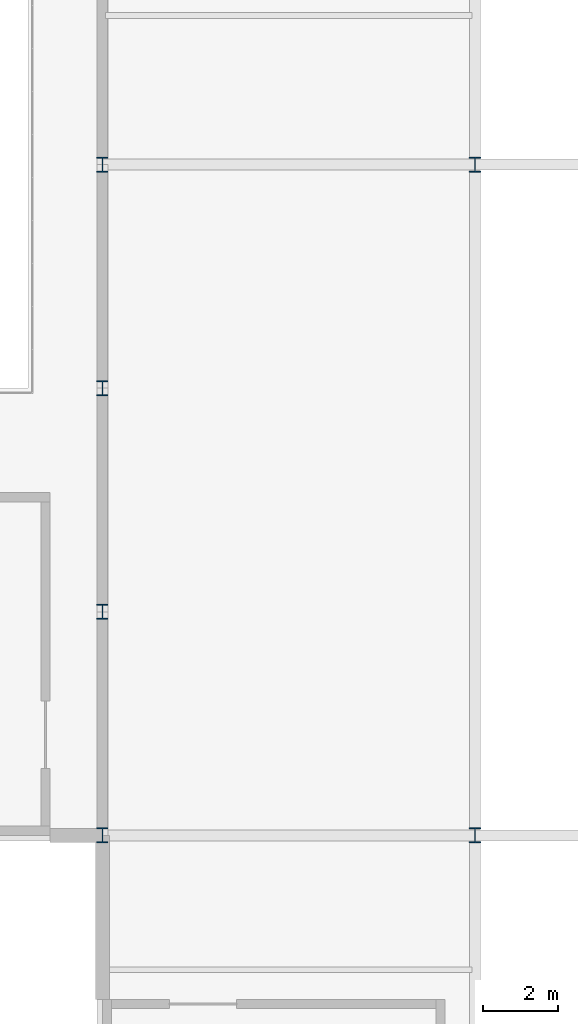
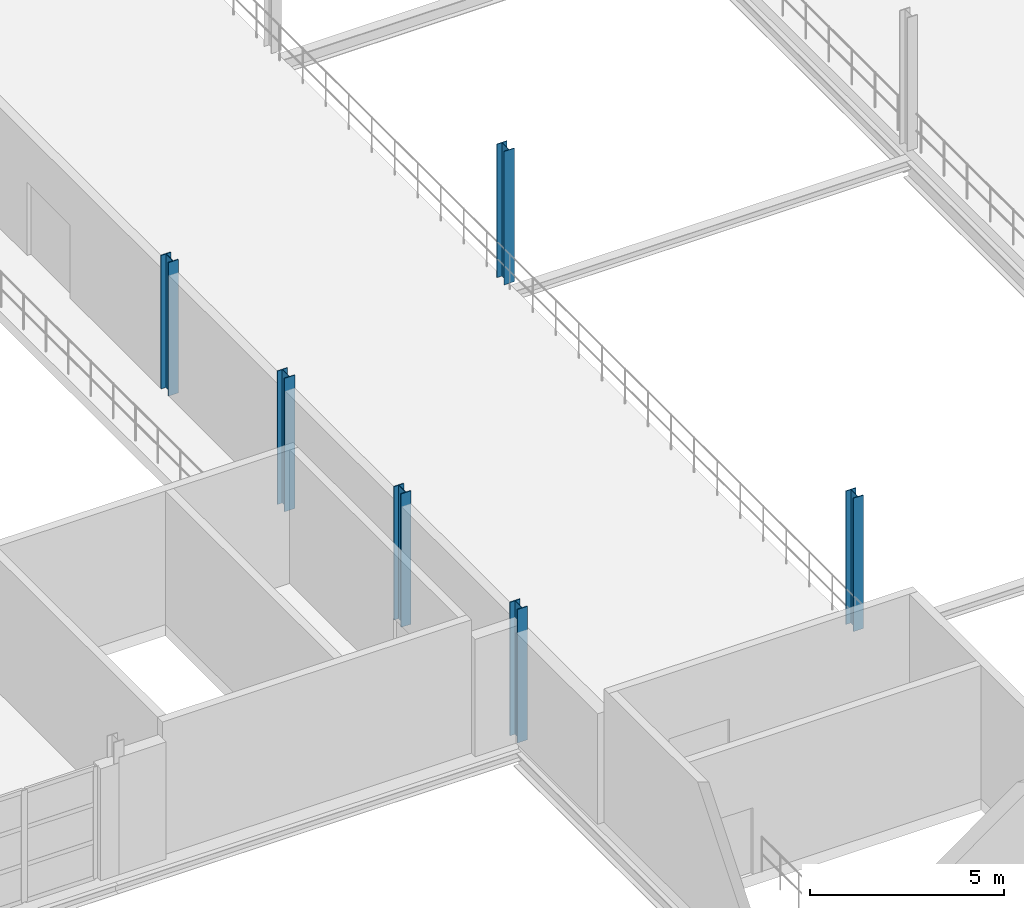
# One storey, part 3 of 147: 6 columns.
"""IFC4 building model written with IfcOpenShell, lengths in metres."""

from ifc_helpers import new_model, si_unit, direction, frame, origin, origin_2d, place, context, subcontext, project, spatial, i_section, extrude, material, material_profile, profile_set, type_object, element, save


model = new_model("IFC4")

# Units and contexts
model_context = context("Model", 3, precision=1e-05, world=origin(), true_north=direction((0.0, 1.0)))
body_context = subcontext(model_context, "Body", "Model", "MODEL_VIEW")
ifc_project = project(units=[si_unit("LENGTHUNIT", "METRE"), si_unit("AREAUNIT", "SQUARE_METRE"), si_unit("VOLUMEUNIT", "CUBIC_METRE"), si_unit("PLANEANGLEUNIT", "RADIAN"), si_unit("MASSUNIT", "GRAM", prefix="KILO")], contexts=[model_context])

# Site, building, storey
site_placement = place(None, origin())
site = spatial("IfcSite", under=ifc_project, at=site_placement, CompositionType="ELEMENT")
building_placement = place(site_placement, origin())
building = spatial("IfcBuilding", under=site, at=building_placement, Name="Zilviju Railside Exhibition Hall", CompositionType="ELEMENT")
storey_placement = place(building_placement, frame((0.0, 0.0, 8.39990234375)))
storey = spatial("IfcBuildingStorey", under=building, at=storey_placement, Name="L03", CompositionType="ELEMENT", Elevation=8.39990234375)

# Columns
ifc_material = material(Name="Steel S355J2", Category="steel")
ifc_material_profile = material_profile(ifc_material, i_section(OverallWidth=0.300048828125, OverallDepth=0.39990234375, WebThickness=0.013427734375, FlangeThickness=0.02392578125, at=origin_2d()), Name="HEB 400")
ifc_profile_set = profile_set([ifc_material_profile], Name="Steel S355J2")
column_type = type_object("IfcColumnType", Name="COL-ST-HEB400", PredefinedType="COLUMN", material=ifc_profile_set)
for number, where, z_axis, x_axis, name in (
    (1, (48.0, 36.0, 0.0), (0.0, 0.0, 1.0), (1.0, 0.0, 0.0), "Structural Column L03 (48.0, 36.0)"),
    (2, (58.0, 36.0, 0.0), (0.0, 0.0, 1.0), (1.0, 0.0, 0.0), "Structural Column L03 (58.0, 36.0)"),
    (3, (48.0, 42.0, 0.0), (0.0, 0.0, 1.0), (1.0, 0.0, 0.0), "Structural Column L03 (48.0, 42.0)"),
    (4, (48.0, 48.0, 0.0), (0.0, 0.0, 1.0), (1.0, 0.0, 0.0), "Structural Column L03 (48.0, 48.0)"),
    (5, (48.0, 54.0, 0.0), (0.0, 0.0, 1.0), (1.0, 0.0, 0.0), "Structural Column L03 (48.0, 54.0)"),
    (6, (58.0, 54.0, 0.0), (0.0, 0.0, 1.0), (1.0, 0.0, 0.0), "Structural Column L03 (58.0, 54.0)"),
):
    element("IfcColumn", number, at=place(storey_placement, frame(where, z_axis=z_axis, x_axis=x_axis)), inside=storey, type_object=column_type, Name=name, PredefinedType="COLUMN", context=body_context, shape_type="SweptSolid", body=[
        extrude(i_section(OverallWidth=0.300048828125, OverallDepth=0.39990234375, WebThickness=0.013427734375, FlangeThickness=0.02392578125, at=origin_2d()), origin(), (0.0, 0.0, 1.0), 4.2001953125),
    ])

save(model, "model.ifc")
